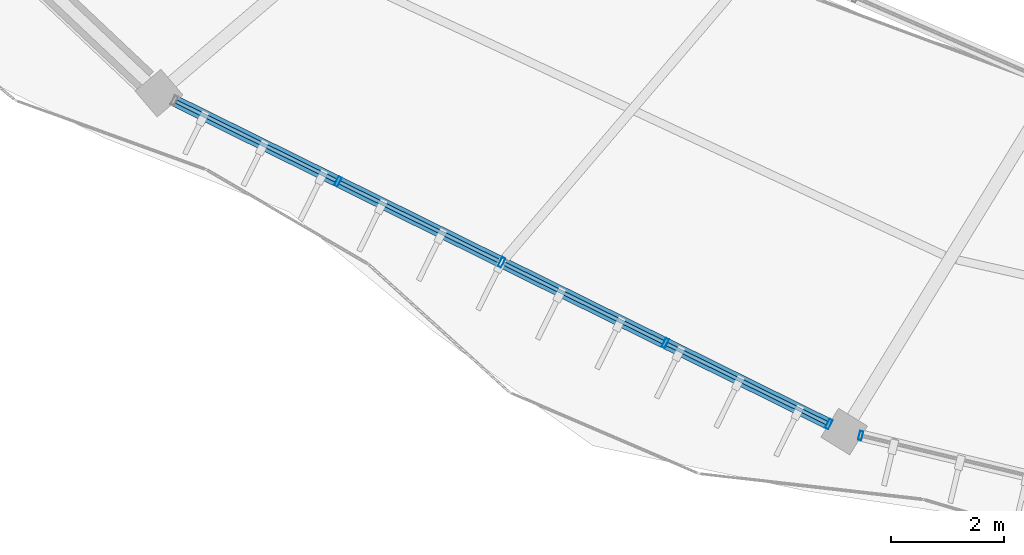
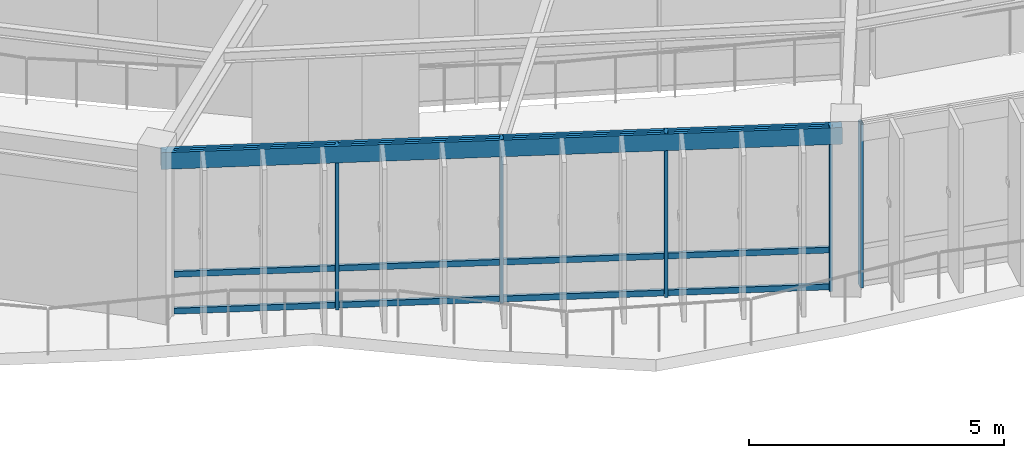
# One storey, part 14 of 83: 17 members, 1 beam, 2 elements without a shape of their own.
"""IFC4 building model written with IfcOpenShell, lengths in metres."""

from ifc_helpers import new_model, si_unit, direction, frame, origin, origin_2d, place, context, subcontext, project, spatial, hollow_rectangle, extrude, material, material_profile, profile_set, type_object, element, aggregate, save


model = new_model("IFC4")

# Units and contexts
model_context = context("Model", 3, precision=1e-05, world=origin(), true_north=direction((0.0, 1.0)))
body_context = subcontext(model_context, "Body", "Model", "MODEL_VIEW")
ifc_project = project(units=[si_unit("LENGTHUNIT", "METRE"), si_unit("AREAUNIT", "SQUARE_METRE"), si_unit("VOLUMEUNIT", "CUBIC_METRE"), si_unit("PLANEANGLEUNIT", "RADIAN"), si_unit("MASSUNIT", "GRAM", prefix="KILO"), si_unit("THERMODYNAMICTEMPERATUREUNIT", "KELVIN"), si_unit("POWERUNIT", "WATT")], contexts=[model_context])

# Site, building, storey
site_placement = place(None, origin())
site = spatial("IfcSite", under=ifc_project, at=site_placement, CompositionType="ELEMENT")
building_placement = place(site_placement, origin())
building = spatial("IfcBuilding", under=site, at=building_placement, Name="Darbajah Civic Hall", CompositionType="ELEMENT")
storey_placement = place(building_placement, frame((0.0, 0.0, 18.0)))
storey = spatial("IfcBuildingStorey", under=building, at=storey_placement, Name="L04", CompositionType="ELEMENT", Elevation=18.0)

# Curtain wall, member
ifc_material_1 = material(Name="Anodised Bronze Aluminium and Low-E Glazing", Category="aluminium")
curtain_wall_type_1 = type_object("IfcCurtainWallType", Name="Unitised Curtain Wall CW-71 14600x3900", PredefinedType="USERDEFINED", material=ifc_material_1)
curtain_wall_1_placement = place(storey_placement, origin())
curtain_wall_1 = element("IfcCurtainWall", 1, at=curtain_wall_1_placement, inside=storey, type_object=curtain_wall_type_1, Name="L04 unitised curtain wall CW-V1O-L04-13", ObjectType="UNITISED CURTAIN WALL", PredefinedType="USERDEFINED")
ifc_material_2 = material(Name="Anodised Bronze Aluminium", Category="aluminium")
ifc_material_profile_1 = material_profile(ifc_material_2, hollow_rectangle(XDim=0.06005859375, YDim=0.159912109375, WallThickness=0.00341796875, at=origin_2d()), Name="ALU MULLION 60x160")
ifc_profile_set_1 = profile_set([ifc_material_profile_1], Name="Anodised Bronze Aluminium")
member_type_1 = type_object("IfcMemberType", Name="ALU MULLION 60x160", PredefinedType="MULLION", material=ifc_profile_set_1)
member_1_placement = place(storey_placement, frame((62.746337890625, 64.57666015625, 0.0), z_axis=(0.0, 0.0, 1.0), x_axis=(0.972492018808, -0.232936200179, 0.0)))
member_1 = element("IfcMember", 2, at=member_1_placement, type_object=member_type_1, Name="CW-V1O-L04-13 mullion 1", PredefinedType="MULLION", context=body_context, shape_type="SweptSolid", body=[
    extrude(hollow_rectangle(XDim=0.06005859375, YDim=0.159912109375, WallThickness=0.00341796875, at=origin_2d()), origin(), (0.0, 0.0, 1.0), 3.919921875),
])
aggregate(curtain_wall_1, [member_1])

# Curtain wall, members
curtain_wall_type_2 = type_object("IfcCurtainWallType", Name="Unitised Curtain Wall CW-60 12900x3900", PredefinedType="USERDEFINED", material=ifc_material_1)
curtain_wall_2_placement = place(storey_placement, origin())
curtain_wall_2 = element("IfcCurtainWall", 3, at=curtain_wall_2_placement, inside=storey, type_object=curtain_wall_type_2, Name="L04 unitised curtain wall CW-V1O-L04-12", ObjectType="UNITISED CURTAIN WALL", PredefinedType="USERDEFINED")
ifc_material_profile_2 = material_profile(ifc_material_2, hollow_rectangle(XDim=0.06494140625, YDim=0.179931640625, WallThickness=0.00390625, at=origin_2d()), Name="ALU MULLION 65x180")
ifc_profile_set_2 = profile_set([ifc_material_profile_2], Name="Anodised Bronze Aluminium")
member_type_2 = type_object("IfcMemberType", Name="ALU MULLION 65x180", PredefinedType="MULLION", material=ifc_profile_set_2)
member_2_placement = place(storey_placement, frame((53.488037109375, 69.075927734375, 0.0), z_axis=(0.0, 0.0, 1.0), x_axis=(0.89656374724, -0.442914717678, 0.0)))
member_2 = element("IfcMember", 4, at=member_2_placement, type_object=member_type_2, Name="CW-V1O-L04-12 mullion 2", PredefinedType="MULLION", context=body_context, shape_type="SweptSolid", body=[
    extrude(hollow_rectangle(XDim=0.06494140625, YDim=0.179931640625, WallThickness=0.00390625, at=origin_2d()), origin(), (0.0, 0.0, 1.0), 3.919921875),
])
member_3_placement = place(storey_placement, frame((56.385986328125, 67.644287109375, 0.0), z_axis=(0.0, 0.0, 1.0), x_axis=(0.89656374724, -0.442914717678, 0.0)))
member_3 = element("IfcMember", 5, at=member_3_placement, type_object=member_type_2, Name="CW-V1O-L04-12 mullion 3", PredefinedType="MULLION", context=body_context, shape_type="SweptSolid", body=[
    extrude(hollow_rectangle(XDim=0.06494140625, YDim=0.179931640625, WallThickness=0.00390625, at=origin_2d()), origin(), (0.0, 0.0, 1.0), 3.919921875),
])
member_4_placement = place(storey_placement, frame((59.283935546875, 66.21240234375, 0.0), z_axis=(0.0, 0.0, 1.0), x_axis=(0.89656374724, -0.442914717678, 0.0)))
member_4 = element("IfcMember", 6, at=member_4_placement, type_object=member_type_2, Name="CW-V1O-L04-12 mullion 4", PredefinedType="MULLION", context=body_context, shape_type="SweptSolid", body=[
    extrude(hollow_rectangle(XDim=0.06494140625, YDim=0.179931640625, WallThickness=0.00390625, at=origin_2d()), origin(), (0.0, 0.0, 1.0), 3.919921875),
])
member_5_placement = place(storey_placement, frame((62.181884765625, 64.781005859375, 0.0), z_axis=(0.0, 0.0, 1.0), x_axis=(0.89656374724, -0.442914717678, 0.0)))
member_5 = element("IfcMember", 7, at=member_5_placement, type_object=member_type_2, Name="CW-V1O-L04-12 mullion 5", PredefinedType="MULLION", context=body_context, shape_type="SweptSolid", body=[
    extrude(hollow_rectangle(XDim=0.06494140625, YDim=0.179931640625, WallThickness=0.00390625, at=origin_2d()), origin(), (0.0, 0.0, 1.0), 3.919921875),
])
ifc_material_profile_3 = material_profile(ifc_material_2, hollow_rectangle(XDim=0.06494140625, YDim=0.139892578125, WallThickness=0.00341796875, at=origin_2d()), Name="ALU TRANSOM 65x140")
ifc_profile_set_3 = profile_set([ifc_material_profile_3], Name="Anodised Bronze Aluminium")
member_type_3 = type_object("IfcMemberType", Name="ALU TRANSOM 65x140", PredefinedType="USERDEFINED", material=ifc_profile_set_3)
member_6_placement = place(storey_placement, frame((50.623779296875, 70.490966796875, 0.070068359375), z_axis=(0.896551283016, -0.44293994731, 0.0), x_axis=(0.44293994731, 0.896551283016, 0.0)))
member_6 = element("IfcMember", 8, at=member_6_placement, type_object=member_type_3, Name="CW-V1O-L04-12 transom 1.1", ObjectType="TRANSOM", PredefinedType="USERDEFINED", context=body_context, shape_type="SweptSolid", body=[
    extrude(hollow_rectangle(XDim=0.06494140625, YDim=0.139892578125, WallThickness=0.00341796875, at=origin_2d()), origin(), (0.0, 0.0, 1.0), 3.1572265625),
])
member_7_placement = place(storey_placement, frame((50.623779296875, 70.490966796875, 0.949951171875), z_axis=(0.896551283016, -0.44293994731, 0.0), x_axis=(0.44293994731, 0.896551283016, 0.0)))
member_7 = element("IfcMember", 9, at=member_7_placement, type_object=member_type_3, Name="CW-V1O-L04-12 transom 1.2", ObjectType="TRANSOM", PredefinedType="USERDEFINED", context=body_context, shape_type="SweptSolid", body=[
    extrude(hollow_rectangle(XDim=0.06494140625, YDim=0.139892578125, WallThickness=0.00341796875, at=origin_2d()), origin(), (0.0, 0.0, 1.0), 3.1572265625),
])
member_8_placement = place(storey_placement, frame((50.623779296875, 70.490966796875, 3.85009765625), z_axis=(0.896551283016, -0.44293994731, 0.0), x_axis=(0.44293994731, 0.896551283016, 0.0)))
member_8 = element("IfcMember", 10, at=member_8_placement, type_object=member_type_3, Name="CW-V1O-L04-12 transom 1.3", ObjectType="TRANSOM", PredefinedType="USERDEFINED", context=body_context, shape_type="SweptSolid", body=[
    extrude(hollow_rectangle(XDim=0.06494140625, YDim=0.139892578125, WallThickness=0.00341796875, at=origin_2d()), origin(), (0.0, 0.0, 1.0), 3.1572265625),
])
member_9_placement = place(storey_placement, frame((53.521484375, 69.05908203125, 0.070068359375), z_axis=(0.89659715693, -0.442847082168, 0.0), x_axis=(0.442847082168, 0.89659715693, 0.0)))
member_9 = element("IfcMember", 11, at=member_9_placement, type_object=member_type_3, Name="CW-V1O-L04-12 transom 2.1", ObjectType="TRANSOM", PredefinedType="USERDEFINED", context=body_context, shape_type="SweptSolid", body=[
    extrude(hollow_rectangle(XDim=0.06494140625, YDim=0.139892578125, WallThickness=0.00341796875, at=origin_2d()), origin(), (0.0, 0.0, 1.0), 3.1572265625),
])
member_10_placement = place(storey_placement, frame((53.521484375, 69.05908203125, 0.949951171875), z_axis=(0.89659715693, -0.442847082168, 0.0), x_axis=(0.442847082168, 0.89659715693, 0.0)))
member_10 = element("IfcMember", 12, at=member_10_placement, type_object=member_type_3, Name="CW-V1O-L04-12 transom 2.2", ObjectType="TRANSOM", PredefinedType="USERDEFINED", context=body_context, shape_type="SweptSolid", body=[
    extrude(hollow_rectangle(XDim=0.06494140625, YDim=0.139892578125, WallThickness=0.00341796875, at=origin_2d()), origin(), (0.0, 0.0, 1.0), 3.1572265625),
])
member_11_placement = place(storey_placement, frame((53.521484375, 69.05908203125, 3.85009765625), z_axis=(0.89659715693, -0.442847082168, 0.0), x_axis=(0.442847082168, 0.89659715693, 0.0)))
member_11 = element("IfcMember", 13, at=member_11_placement, type_object=member_type_3, Name="CW-V1O-L04-12 transom 2.3", ObjectType="TRANSOM", PredefinedType="USERDEFINED", context=body_context, shape_type="SweptSolid", body=[
    extrude(hollow_rectangle(XDim=0.06494140625, YDim=0.139892578125, WallThickness=0.00341796875, at=origin_2d()), origin(), (0.0, 0.0, 1.0), 3.1572265625),
])
member_12_placement = place(storey_placement, frame((56.419677734375, 67.627685546875, 0.070068359375), z_axis=(0.896551283016, -0.44293994731, 0.0), x_axis=(0.44293994731, 0.896551283016, 0.0)))
member_12 = element("IfcMember", 14, at=member_12_placement, type_object=member_type_3, Name="CW-V1O-L04-12 transom 3.1", ObjectType="TRANSOM", PredefinedType="USERDEFINED", context=body_context, shape_type="SweptSolid", body=[
    extrude(hollow_rectangle(XDim=0.06494140625, YDim=0.139892578125, WallThickness=0.00341796875, at=origin_2d()), origin(), (0.0, 0.0, 1.0), 3.1572265625),
])
member_13_placement = place(storey_placement, frame((56.419677734375, 67.627685546875, 0.949951171875), z_axis=(0.896551283016, -0.44293994731, 0.0), x_axis=(0.44293994731, 0.896551283016, 0.0)))
member_13 = element("IfcMember", 15, at=member_13_placement, type_object=member_type_3, Name="CW-V1O-L04-12 transom 3.2", ObjectType="TRANSOM", PredefinedType="USERDEFINED", context=body_context, shape_type="SweptSolid", body=[
    extrude(hollow_rectangle(XDim=0.06494140625, YDim=0.139892578125, WallThickness=0.00341796875, at=origin_2d()), origin(), (0.0, 0.0, 1.0), 3.1572265625),
])
member_14_placement = place(storey_placement, frame((56.419677734375, 67.627685546875, 3.85009765625), z_axis=(0.896551283016, -0.44293994731, 0.0), x_axis=(0.44293994731, 0.896551283016, 0.0)))
member_14 = element("IfcMember", 16, at=member_14_placement, type_object=member_type_3, Name="CW-V1O-L04-12 transom 3.3", ObjectType="TRANSOM", PredefinedType="USERDEFINED", context=body_context, shape_type="SweptSolid", body=[
    extrude(hollow_rectangle(XDim=0.06494140625, YDim=0.139892578125, WallThickness=0.00341796875, at=origin_2d()), origin(), (0.0, 0.0, 1.0), 3.1572265625),
])
member_15_placement = place(storey_placement, frame((59.3173828125, 66.19580078125, 0.070068359375), z_axis=(0.89659715693, -0.442847082168, 0.0), x_axis=(0.442847082168, 0.89659715693, 0.0)))
member_15 = element("IfcMember", 17, at=member_15_placement, type_object=member_type_3, Name="CW-V1O-L04-12 transom 4.1", ObjectType="TRANSOM", PredefinedType="USERDEFINED", context=body_context, shape_type="SweptSolid", body=[
    extrude(hollow_rectangle(XDim=0.06494140625, YDim=0.139892578125, WallThickness=0.00341796875, at=origin_2d()), origin(), (0.0, 0.0, 1.0), 3.1572265625),
])
member_16_placement = place(storey_placement, frame((59.3173828125, 66.19580078125, 0.949951171875), z_axis=(0.89659715693, -0.442847082168, 0.0), x_axis=(0.442847082168, 0.89659715693, 0.0)))
member_16 = element("IfcMember", 18, at=member_16_placement, type_object=member_type_3, Name="CW-V1O-L04-12 transom 4.2", ObjectType="TRANSOM", PredefinedType="USERDEFINED", context=body_context, shape_type="SweptSolid", body=[
    extrude(hollow_rectangle(XDim=0.06494140625, YDim=0.139892578125, WallThickness=0.00341796875, at=origin_2d()), origin(), (0.0, 0.0, 1.0), 3.1572265625),
])
member_17_placement = place(storey_placement, frame((59.3173828125, 66.19580078125, 3.85009765625), z_axis=(0.89659715693, -0.442847082168, 0.0), x_axis=(0.442847082168, 0.89659715693, 0.0)))
member_17 = element("IfcMember", 19, at=member_17_placement, type_object=member_type_3, Name="CW-V1O-L04-12 transom 4.3", ObjectType="TRANSOM", PredefinedType="USERDEFINED", context=body_context, shape_type="SweptSolid", body=[
    extrude(hollow_rectangle(XDim=0.06494140625, YDim=0.139892578125, WallThickness=0.00341796875, at=origin_2d()), origin(), (0.0, 0.0, 1.0), 3.1572265625),
])
aggregate(curtain_wall_2, [member_2, member_3, member_4, member_5, member_6, member_7, member_8, member_9, member_10, member_11, member_12, member_13, member_14, member_15, member_16, member_17])

# Beam
ifc_material_3 = material(Name="Steel S355JR", Category="steel")
ifc_material_profile_4 = material_profile(ifc_material_3, hollow_rectangle(XDim=0.199951171875, YDim=0.39990234375, WallThickness=0.013916015625, at=origin_2d()), Name="RHS 400x200x14")
ifc_profile_set_4 = profile_set([ifc_material_profile_4], Name="Steel S355JR")
beam_type = type_object("IfcBeamType", Name="RHS 400x200x14", PredefinedType="SPANDREL", material=ifc_profile_set_4)
beam_placement = place(storey_placement, frame((50.39111328125, 70.60595703125, 3.719970703125), z_axis=(0.896556568061, -0.442929249731, 0.0), x_axis=(0.442929249731, 0.896556568061, 0.0)))
element("IfcBeam", 20, at=beam_placement, inside=storey, type_object=beam_type, Name="L04 beam SP-RHS400", PredefinedType="SPANDREL", context=body_context, shape_type="SweptSolid", body=[
    extrude(hollow_rectangle(XDim=0.199951171875, YDim=0.39990234375, WallThickness=0.013916015625, at=origin_2d()), origin(), (0.0, 0.0, 1.0), 13.373046875),
])

save(model, "model.ifc")
